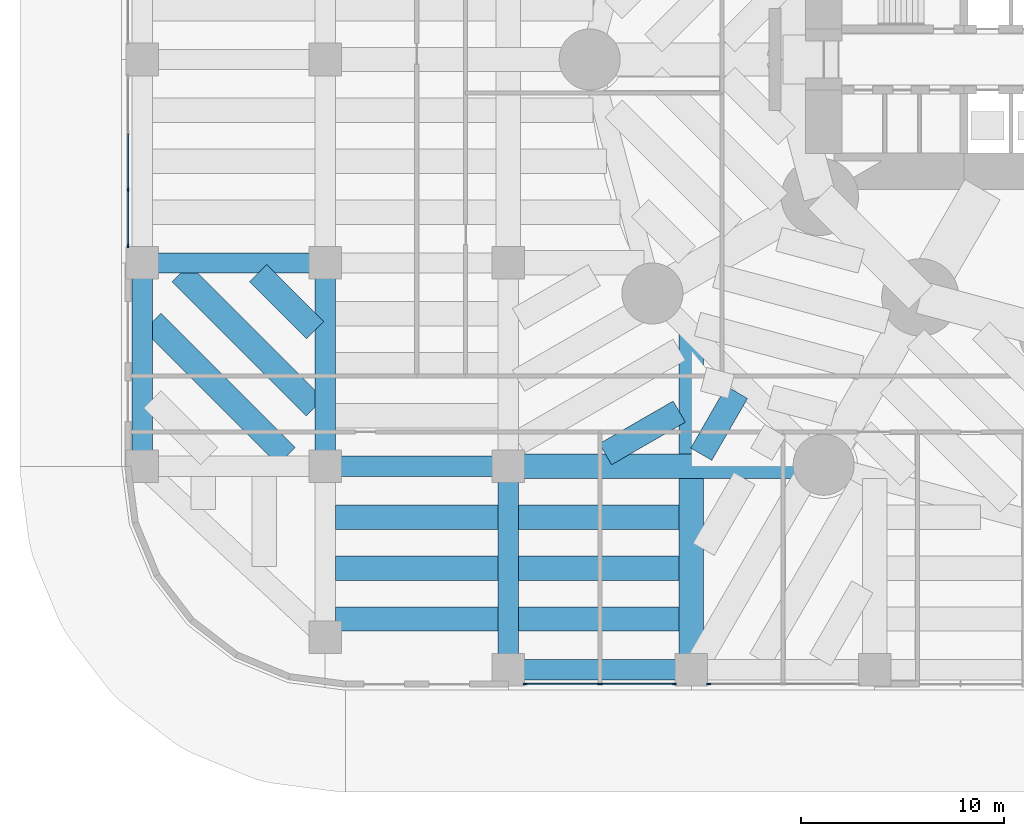
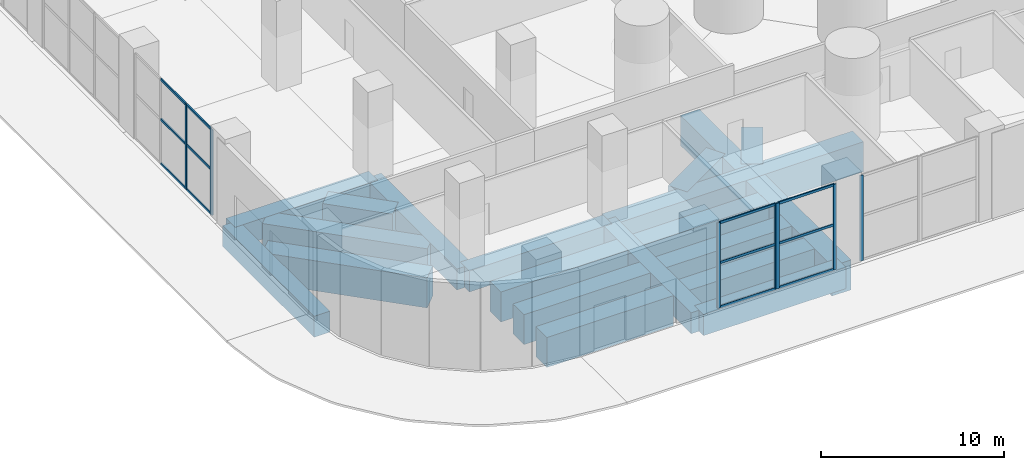
# One storey, part 2 of 20: 19 beams, 19 members, 4 elements without a shape of their own.
"""IFC4 building model written with IfcOpenShell, lengths in metres."""

from ifc_helpers import new_model, si_unit, direction, frame, origin, origin_2d, place, context, subcontext, project, spatial, rectangle, extrude, material, material_profile, profile_set, type_object, element, aggregate, save


model = new_model("IFC4")

# Units and contexts
model_context = context("Model", 3, precision=1e-05, world=origin(), true_north=direction((0.0, 1.0)))
body_context = subcontext(model_context, "Body", "Model", "MODEL_VIEW")
ifc_project = project(units=[si_unit("LENGTHUNIT", "METRE"), si_unit("AREAUNIT", "SQUARE_METRE"), si_unit("VOLUMEUNIT", "CUBIC_METRE"), si_unit("PLANEANGLEUNIT", "RADIAN"), si_unit("MASSUNIT", "GRAM", prefix="KILO")], contexts=[model_context])

# Site, building, storey
site_placement = place(None, origin())
site = spatial("IfcSite", under=ifc_project, at=site_placement, CompositionType="ELEMENT")
building_placement = place(site_placement, origin())
building = spatial("IfcBuilding", under=site, at=building_placement, Name="Qaws Media Tower", CompositionType="ELEMENT")
storey_placement = place(building_placement, origin())
storey = spatial("IfcBuildingStorey", under=building, at=storey_placement, Name="L00", CompositionType="ELEMENT", Elevation=0.0)

# Curtain wall, members
ifc_material_1 = material(Name="Aluminium and clear glass", Category="aluminium")
curtain_wall_type = type_object("IfcCurtainWallType", Name="Podium shopfront CW-P", PredefinedType="NOTDEFINED", material=ifc_material_1)
curtain_wall_1_placement = place(storey_placement, origin())
curtain_wall_1 = element("IfcCurtainWall", 1, at=curtain_wall_1_placement, inside=storey, type_object=curtain_wall_type, Name="CWP shopfront L00 W3", PredefinedType="NOTDEFINED")
ifc_material_2 = material(Name="Aluminium mullion", Category="aluminium")
ifc_material_profile_1 = material_profile(ifc_material_2, rectangle(XDim=0.080078125, YDim=0.199951171875, at=origin_2d()), Name="80x200")
ifc_profile_set_1 = profile_set([ifc_material_profile_1], Name="Aluminium mullion")
member_type_1 = type_object("IfcMemberType", Name="Curtain wall mullion 80x200", PredefinedType="MULLION", material=ifc_profile_set_1)
member_1_placement = place(storey_placement, frame((14.300048828125, 43.60009765625, 0.0), z_axis=(0.0, 0.0, 1.0), x_axis=(1.0, 0.0, 0.0)))
member_1 = element("IfcMember", 2, at=member_1_placement, type_object=member_type_1, Name="CWP mullion 3", PredefinedType="MULLION", context=body_context, shape_type="SweptSolid", body=[
    extrude(rectangle(XDim=0.080078125, YDim=0.199951171875, at=origin_2d()), origin(), (0.0, 0.0, 1.0), 5.699951171875),
])
member_2_placement = place(storey_placement, frame((14.300048828125, 40.840087890625, 0.0), z_axis=(0.0, 0.0, 1.0), x_axis=(1.0, 0.0, 0.0)))
member_2 = element("IfcMember", 3, at=member_2_placement, type_object=member_type_1, Name="CWP mullion 4", PredefinedType="MULLION", context=body_context, shape_type="SweptSolid", body=[
    extrude(rectangle(XDim=0.080078125, YDim=0.199951171875, at=origin_2d()), origin(), (0.0, 0.0, 1.0), 5.699951171875),
])

curtain_wall_2_placement = place(storey_placement, origin())
curtain_wall_2 = element("IfcCurtainWall", 4, at=curtain_wall_2_placement, inside=storey, type_object=curtain_wall_type, Name="CWP shopfront L00 S2", PredefinedType="NOTDEFINED")
member_3_placement = place(storey_placement, frame((33.840087890625, 19.300048828125, 0.0), z_axis=(0.0, 0.0, 1.0), x_axis=(0.0, 1.0, 0.0)))
member_3 = element("IfcMember", 5, at=member_3_placement, type_object=member_type_1, Name="CWP mullion 1", PredefinedType="MULLION", context=body_context, shape_type="SweptSolid", body=[
    extrude(rectangle(XDim=0.080078125, YDim=0.199951171875, at=origin_2d()), origin(), (0.0, 0.0, 1.0), 5.699951171875),
])
member_4_placement = place(storey_placement, frame((37.4599609375, 19.300048828125, 0.0), z_axis=(0.0, 0.0, 1.0), x_axis=(0.0, 1.0, 0.0)))
member_4 = element("IfcMember", 6, at=member_4_placement, type_object=member_type_1, Name="CWP mullion 2", PredefinedType="MULLION", context=body_context, shape_type="SweptSolid", body=[
    extrude(rectangle(XDim=0.080078125, YDim=0.199951171875, at=origin_2d()), origin(), (0.0, 0.0, 1.0), 5.699951171875),
])

curtain_wall_3_placement = place(storey_placement, origin())
curtain_wall_3 = element("IfcCurtainWall", 7, at=curtain_wall_3_placement, inside=storey, type_object=curtain_wall_type, Name="CWP shopfront L00 S3", PredefinedType="NOTDEFINED")
member_5_placement = place(storey_placement, frame((37.5400390625, 19.300048828125, 0.0), z_axis=(0.0, 0.0, 1.0), x_axis=(0.0, 1.0, 0.0)))
member_5 = element("IfcMember", 8, at=member_5_placement, type_object=member_type_1, Name="CWP mullion 1", PredefinedType="MULLION", context=body_context, shape_type="SweptSolid", body=[
    extrude(rectangle(XDim=0.080078125, YDim=0.199951171875, at=origin_2d()), origin(), (0.0, 0.0, 1.0), 5.699951171875),
])
member_6_placement = place(storey_placement, frame((41.159912109375, 19.300048828125, 0.0), z_axis=(0.0, 0.0, 1.0), x_axis=(0.0, 1.0, 0.0)))
member_6 = element("IfcMember", 9, at=member_6_placement, type_object=member_type_1, Name="CWP mullion 2", PredefinedType="MULLION", context=body_context, shape_type="SweptSolid", body=[
    extrude(rectangle(XDim=0.080078125, YDim=0.199951171875, at=origin_2d()), origin(), (0.0, 0.0, 1.0), 5.699951171875),
])

# Curtain wall, member
curtain_wall_4_placement = place(storey_placement, origin())
curtain_wall_4 = element("IfcCurtainWall", 10, at=curtain_wall_4_placement, inside=storey, type_object=curtain_wall_type, Name="CWP shopfront L00 S4", PredefinedType="NOTDEFINED")
member_7_placement = place(storey_placement, frame((42.840087890625, 19.300048828125, 0.0), z_axis=(0.0, 0.0, 1.0), x_axis=(0.0, 1.0, 0.0)))
member_7 = element("IfcMember", 11, at=member_7_placement, type_object=member_type_1, Name="CWP mullion 1", PredefinedType="MULLION", context=body_context, shape_type="SweptSolid", body=[
    extrude(rectangle(XDim=0.080078125, YDim=0.199951171875, at=origin_2d()), origin(), (0.0, 0.0, 1.0), 5.699951171875),
])
aggregate(curtain_wall_4, [member_7])

# Member
ifc_material_3 = material(Name="Aluminium transom", Category="aluminium")
ifc_material_profile_2 = material_profile(ifc_material_3, rectangle(XDim=0.080078125, YDim=0.159912109375, at=origin_2d()), Name="80x160")
ifc_profile_set_2 = profile_set([ifc_material_profile_2], Name="Aluminium transom")
member_type_2 = type_object("IfcMemberType", Name="Curtain wall transom 80x160", PredefinedType="USERDEFINED", material=ifc_profile_set_2)
member_8_placement = place(storey_placement, frame((14.300048828125, 46.360107421875, 0.0400390625), z_axis=(0.0, -1.0, 0.0), x_axis=(1.0, 0.0, 0.0)))
member_8 = element("IfcMember", 12, at=member_8_placement, type_object=member_type_2, Name="CWP transom 2.1", ObjectType="TRANSOM", PredefinedType="USERDEFINED", context=body_context, shape_type="SweptSolid", body=[
    extrude(rectangle(XDim=0.080078125, YDim=0.159912109375, at=origin_2d()), origin(), (0.0, 0.0, 1.0), 2.72021484375),
])

member_9_placement = place(storey_placement, frame((14.300048828125, 46.360107421875, 3.0), z_axis=(0.0, -1.0, 0.0), x_axis=(1.0, 0.0, 0.0)))
member_9 = element("IfcMember", 13, at=member_9_placement, type_object=member_type_2, Name="CWP transom 2.2", ObjectType="TRANSOM", PredefinedType="USERDEFINED", context=body_context, shape_type="SweptSolid", body=[
    extrude(rectangle(XDim=0.080078125, YDim=0.159912109375, at=origin_2d()), origin(), (0.0, 0.0, 1.0), 2.72021484375),
])

member_10_placement = place(storey_placement, frame((14.300048828125, 46.360107421875, 5.659912109375), z_axis=(0.0, -1.0, 0.0), x_axis=(1.0, 0.0, 0.0)))
member_10 = element("IfcMember", 14, at=member_10_placement, type_object=member_type_2, Name="CWP transom 2.3", ObjectType="TRANSOM", PredefinedType="USERDEFINED", context=body_context, shape_type="SweptSolid", body=[
    extrude(rectangle(XDim=0.080078125, YDim=0.159912109375, at=origin_2d()), origin(), (0.0, 0.0, 1.0), 2.72021484375),
])

member_11_placement = place(storey_placement, frame((14.300048828125, 43.56005859375, 0.0400390625), z_axis=(0.0, -1.0, 0.0), x_axis=(1.0, 0.0, 0.0)))
member_11 = element("IfcMember", 15, at=member_11_placement, type_object=member_type_2, Name="CWP transom 3.1", ObjectType="TRANSOM", PredefinedType="USERDEFINED", context=body_context, shape_type="SweptSolid", body=[
    extrude(rectangle(XDim=0.080078125, YDim=0.159912109375, at=origin_2d()), origin(), (0.0, 0.0, 1.0), 2.68017578125),
])

member_12_placement = place(storey_placement, frame((14.300048828125, 43.56005859375, 3.0), z_axis=(0.0, -1.0, 0.0), x_axis=(1.0, 0.0, 0.0)))
member_12 = element("IfcMember", 16, at=member_12_placement, type_object=member_type_2, Name="CWP transom 3.2", ObjectType="TRANSOM", PredefinedType="USERDEFINED", context=body_context, shape_type="SweptSolid", body=[
    extrude(rectangle(XDim=0.080078125, YDim=0.159912109375, at=origin_2d()), origin(), (0.0, 0.0, 1.0), 2.68017578125),
])

member_13_placement = place(storey_placement, frame((14.300048828125, 43.56005859375, 5.659912109375), z_axis=(0.0, -1.0, 0.0), x_axis=(1.0, 0.0, 0.0)))
member_13 = element("IfcMember", 17, at=member_13_placement, type_object=member_type_2, Name="CWP transom 3.3", ObjectType="TRANSOM", PredefinedType="USERDEFINED", context=body_context, shape_type="SweptSolid", body=[
    extrude(rectangle(XDim=0.080078125, YDim=0.159912109375, at=origin_2d()), origin(), (0.0, 0.0, 1.0), 2.68017578125),
])

aggregate(curtain_wall_1, [member_1, member_2, member_8, member_9, member_10, member_11, member_12, member_13])

member_14_placement = place(storey_placement, frame((33.8798828125, 19.300048828125, 0.0400390625), z_axis=(1.0, 0.0, 0.0), x_axis=(0.0, 1.0, 0.0)))
member_14 = element("IfcMember", 18, at=member_14_placement, type_object=member_type_2, Name="CWP transom 1.1", ObjectType="TRANSOM", PredefinedType="USERDEFINED", context=body_context, shape_type="SweptSolid", body=[
    extrude(rectangle(XDim=0.080078125, YDim=0.159912109375, at=origin_2d()), origin(), (0.0, 0.0, 1.0), 3.5400390625),
])

member_15_placement = place(storey_placement, frame((33.8798828125, 19.300048828125, 3.0), z_axis=(1.0, 0.0, 0.0), x_axis=(0.0, 1.0, 0.0)))
member_15 = element("IfcMember", 19, at=member_15_placement, type_object=member_type_2, Name="CWP transom 1.2", ObjectType="TRANSOM", PredefinedType="USERDEFINED", context=body_context, shape_type="SweptSolid", body=[
    extrude(rectangle(XDim=0.080078125, YDim=0.159912109375, at=origin_2d()), origin(), (0.0, 0.0, 1.0), 3.5400390625),
])

member_16_placement = place(storey_placement, frame((33.8798828125, 19.300048828125, 5.659912109375), z_axis=(1.0, 0.0, 0.0), x_axis=(0.0, 1.0, 0.0)))
member_16 = element("IfcMember", 20, at=member_16_placement, type_object=member_type_2, Name="CWP transom 1.3", ObjectType="TRANSOM", PredefinedType="USERDEFINED", context=body_context, shape_type="SweptSolid", body=[
    extrude(rectangle(XDim=0.080078125, YDim=0.159912109375, at=origin_2d()), origin(), (0.0, 0.0, 1.0), 3.5400390625),
])

aggregate(curtain_wall_2, [member_3, member_4, member_14, member_15, member_16])

member_17_placement = place(storey_placement, frame((37.580078125, 19.300048828125, 0.0400390625), z_axis=(1.0, 0.0, 0.0), x_axis=(0.0, 1.0, 0.0)))
member_17 = element("IfcMember", 21, at=member_17_placement, type_object=member_type_2, Name="CWP transom 1.1", ObjectType="TRANSOM", PredefinedType="USERDEFINED", context=body_context, shape_type="SweptSolid", body=[
    extrude(rectangle(XDim=0.080078125, YDim=0.159912109375, at=origin_2d()), origin(), (0.0, 0.0, 1.0), 3.5400390625),
])

member_18_placement = place(storey_placement, frame((37.580078125, 19.300048828125, 3.0), z_axis=(1.0, 0.0, 0.0), x_axis=(0.0, 1.0, 0.0)))
member_18 = element("IfcMember", 22, at=member_18_placement, type_object=member_type_2, Name="CWP transom 1.2", ObjectType="TRANSOM", PredefinedType="USERDEFINED", context=body_context, shape_type="SweptSolid", body=[
    extrude(rectangle(XDim=0.080078125, YDim=0.159912109375, at=origin_2d()), origin(), (0.0, 0.0, 1.0), 3.5400390625),
])

member_19_placement = place(storey_placement, frame((37.580078125, 19.300048828125, 5.659912109375), z_axis=(1.0, 0.0, 0.0), x_axis=(0.0, 1.0, 0.0)))
member_19 = element("IfcMember", 23, at=member_19_placement, type_object=member_type_2, Name="CWP transom 1.3", ObjectType="TRANSOM", PredefinedType="USERDEFINED", context=body_context, shape_type="SweptSolid", body=[
    extrude(rectangle(XDim=0.080078125, YDim=0.159912109375, at=origin_2d()), origin(), (0.0, 0.0, 1.0), 3.5400390625),
])

aggregate(curtain_wall_3, [member_5, member_6, member_17, member_18, member_19])

# Beams
ifc_material_4 = material(Name="Concrete C60/75", Category="concrete")
ifc_material_profile_3 = material_profile(ifc_material_4, rectangle(XDim=1.0, YDim=1.39990234375, at=origin_2d()), Name="RC 1000x1400")
ifc_profile_set_3 = profile_set([ifc_material_profile_3], Name="Concrete C60/75")
beam_type_1 = type_object("IfcBeamType", Name="Podium girder RC 1000x1400", PredefinedType="BEAM", material=ifc_profile_set_3)
for number, where, z_axis, x_axis, name in (
    (24, (33.0, 20.0, -1.0), (1.0, 0.0, 0.0), (0.0, 1.0, 0.0), "PB5 beam 3-4/A"),
    (25, (24.0, 30.0, -1.0), (1.0, 0.0, 0.0), (0.0, 1.0, 0.0), "PB5 beam 2-3/B"),
    (26, (15.0, 40.0, -1.0), (1.0, 0.0, 0.0), (0.0, 1.0, 0.0), "PB5 beam 1-2/C"),
):
    element("IfcBeam", number, at=place(storey_placement, frame(where, z_axis=z_axis, x_axis=x_axis)), inside=storey, type_object=beam_type_1, Name=name, PredefinedType="BEAM", context=body_context, shape_type="SweptSolid", body=[
        extrude(rectangle(XDim=1.0, YDim=1.39990234375, at=origin_2d()), origin(), (0.0, 0.0, 1.0), 9.0),
    ])
for number, where, z_axis, x_axis, name in (
    (27, (15.0, 30.0, -1.0), (0.0, 1.0, 0.0), (-1.0, 0.0, 0.0), "PB5 beam 1/B-C"),
    (28, (24.0, 30.0, -1.0), (0.0, 1.0, 0.0), (-1.0, 0.0, 0.0), "PB5 beam 2/B-C"),
    (29, (33.0, 20.0, -1.0), (0.0, 1.0, 0.0), (-1.0, 0.0, 0.0), "PB5 beam 3/A-B"),
):
    element("IfcBeam", number, at=place(storey_placement, frame(where, z_axis=z_axis, x_axis=x_axis)), inside=storey, type_object=beam_type_1, Name=name, PredefinedType="BEAM", context=body_context, shape_type="SweptSolid", body=[
        extrude(rectangle(XDim=1.0, YDim=1.39990234375, at=origin_2d()), origin(), (0.0, 0.0, 1.0), 10.0),
    ])
ifc_material_5 = material(Name="Concrete C60/75", Category="concrete")
ifc_material_profile_4 = material_profile(ifc_material_5, rectangle(XDim=1.199951171875, YDim=2.0, at=origin_2d()), Name="RC 1200x2000")
ifc_profile_set_4 = profile_set([ifc_material_profile_4], Name="Concrete C60/75")
beam_type_2 = type_object("IfcBeamType", Name="Podium long trimmer beam RC 1200x2000", PredefinedType="BEAM", material=ifc_profile_set_4)
beam_1_placement = place(storey_placement, frame((33.0, 30.0, -1.300048828125), z_axis=(1.0, 0.0, 0.0), x_axis=(0.0, 1.0, 0.0)))
element("IfcBeam", 30, at=beam_1_placement, inside=storey, type_object=beam_type_2, Name="PB11 beam 3/B to the tower ring", PredefinedType="BEAM", context=body_context, shape_type="SweptSolid", body=[
    extrude(rectangle(XDim=1.199951171875, YDim=2.0, at=origin_2d()), origin(), (0.0, 0.0, 1.0), 15.803955078125),
])
beam_2_placement = place(storey_placement, frame((42.0, 20.0, -1.300048828125), z_axis=(0.0, 1.0, 0.0), x_axis=(-1.0, 0.0, 0.0)))
element("IfcBeam", 31, at=beam_2_placement, inside=storey, type_object=beam_type_2, Name="PB11 beam 4/A to the tower ring", PredefinedType="BEAM", context=body_context, shape_type="SweptSolid", body=[
    extrude(rectangle(XDim=1.199951171875, YDim=2.0, at=origin_2d()), origin(), (0.0, 0.0, 1.0), 16.581298828125),
])
ifc_material_6 = material(Name="Concrete C60/75", Category="concrete")
ifc_material_profile_5 = material_profile(ifc_material_6, rectangle(XDim=1.199951171875, YDim=2.0, at=origin_2d()), Name="RC 1200x2000")
ifc_profile_set_5 = profile_set([ifc_material_profile_5], Name="Concrete C60/75")
beam_type_3 = type_object("IfcBeamType", Name="Podium secondary beam RC 1200x2000", PredefinedType="BEAM", material=ifc_profile_set_5)
beam_3_placement = place(storey_placement, frame((23.5, 36.699951171875, -1.300048828125), z_axis=(-0.707106781187, 0.707106781187, 0.0), x_axis=(-0.707106781187, -0.707106781187, 0.0)))
element("IfcBeam", 32, at=beam_3_placement, inside=storey, type_object=beam_type_3, Name="PB7 beam bay 1B line 1", PredefinedType="BEAM", context=body_context, shape_type="SweptSolid", body=[
    extrude(rectangle(XDim=1.199951171875, YDim=2.0, at=origin_2d()), origin(), (0.0, 0.0, 1.0), 3.9599609375),
])
for number, where, z_axis, x_axis, name in (
    (33, (23.5, 32.89990234375, -1.300048828125), (-0.707106781187, 0.707106781187, 0.0), (-0.707106781187, -0.707106781187, 0.0), "PB7 beam bay 1B line 2"),
    (34, (22.10009765625, 30.5, -1.300048828125), (-0.707106781187, 0.707106781187, 0.0), (-0.707106781187, -0.707106781187, 0.0), "PB7 beam bay 1B line 3"),
):
    element("IfcBeam", number, at=place(storey_placement, frame(where, z_axis=z_axis, x_axis=x_axis)), inside=storey, type_object=beam_type_3, Name=name, PredefinedType="BEAM", context=body_context, shape_type="SweptSolid", body=[
        extrude(rectangle(XDim=1.199951171875, YDim=2.0, at=origin_2d()), origin(), (0.0, 0.0, 1.0), 9.333984375),
    ])
for number, where, z_axis, x_axis, name in (
    (35, (24.5, 22.5, -1.300048828125), (1.0, 0.0, 0.0), (0.0, 1.0, 0.0), "PB7 beam bay 2A line 1"),
    (36, (24.5, 25.0, -1.300048828125), (1.0, 0.0, 0.0), (0.0, 1.0, 0.0), "PB7 beam bay 2A line 2"),
    (37, (24.5, 27.5, -1.300048828125), (1.0, 0.0, 0.0), (0.0, 1.0, 0.0), "PB7 beam bay 2A line 3"),
):
    element("IfcBeam", number, at=place(storey_placement, frame(where, z_axis=z_axis, x_axis=x_axis)), inside=storey, type_object=beam_type_3, Name=name, PredefinedType="BEAM", context=body_context, shape_type="SweptSolid", body=[
        extrude(rectangle(XDim=1.199951171875, YDim=2.0, at=origin_2d()), origin(), (0.0, 0.0, 1.0), 8.0),
    ])
for number, where, z_axis, x_axis, name in (
    (38, (33.5, 22.5, -1.300048828125), (1.0, 0.0, 0.0), (0.0, 1.0, 0.0), "PB7 beam bay 3A line 1"),
    (39, (33.5, 25.0, -1.300048828125), (1.0, 0.0, 0.0), (0.0, 1.0, 0.0), "PB7 beam bay 3A line 2"),
    (40, (33.5, 27.5, -1.300048828125), (1.0, 0.0, 0.0), (0.0, 1.0, 0.0), "PB7 beam bay 3A line 3"),
):
    element("IfcBeam", number, at=place(storey_placement, frame(where, z_axis=z_axis, x_axis=x_axis)), inside=storey, type_object=beam_type_3, Name=name, PredefinedType="BEAM", context=body_context, shape_type="SweptSolid", body=[
        extrude(rectangle(XDim=1.199951171875, YDim=2.0, at=origin_2d()), origin(), (0.0, 0.0, 1.0), 7.89990234375),
    ])
beam_4_placement = place(storey_placement, frame((37.775146484375, 30.60009765625, -1.300048828125), z_axis=(0.866023369196, 0.500003523994, 0.0), x_axis=(-0.500003523994, 0.866023369196, 0.0)))
element("IfcBeam", 41, at=beam_4_placement, inside=storey, type_object=beam_type_3, Name="PB7 beam bay 3B line 1", PredefinedType="BEAM", context=body_context, shape_type="SweptSolid", body=[
    extrude(rectangle(XDim=1.199951171875, YDim=2.0, at=origin_2d()), origin(), (0.0, 0.0, 1.0), 4.185546875),
])
beam_5_placement = place(storey_placement, frame((42.482421875, 30.60009765625, -1.300048828125), z_axis=(0.500001597329, 0.866024481564, 0.0), x_axis=(-0.866024481564, 0.500001597329, 0.0)))
element("IfcBeam", 42, at=beam_5_placement, inside=storey, type_object=beam_type_3, Name="PB7 beam bay 4B line 2", PredefinedType="BEAM", context=body_context, shape_type="SweptSolid", body=[
    extrude(rectangle(XDim=1.199951171875, YDim=2.0, at=origin_2d()), origin(), (0.0, 0.0, 1.0), 3.5078125),
])

save(model, "model.ifc")
